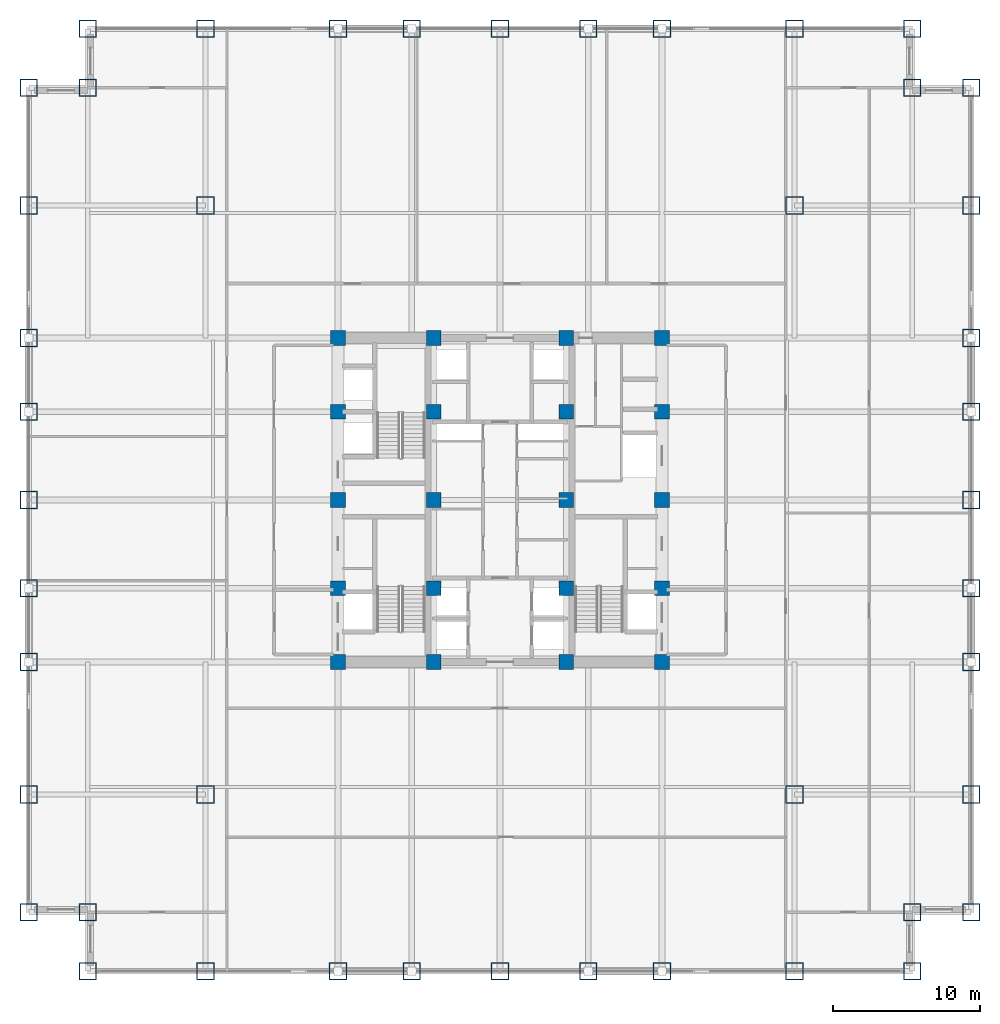
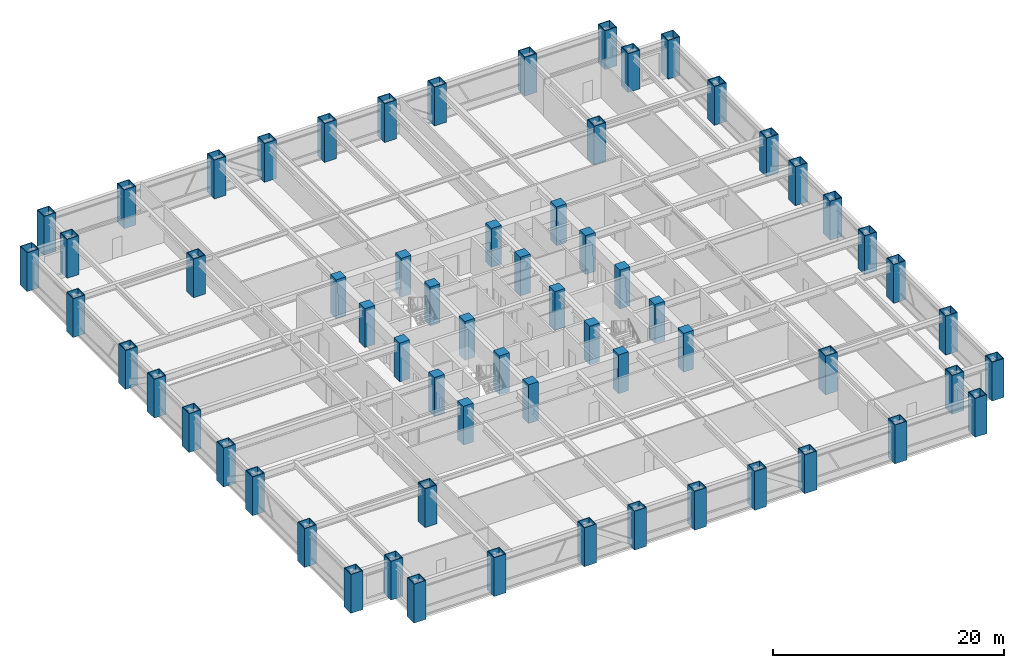
# One storey, part 1 of 28: 64 columns.
"""IFC4 building model written with IfcOpenShell, lengths in metres."""

from ifc_helpers import new_model, si_unit, direction, frame, origin, origin_2d, place, context, subcontext, project, spatial, rectangle, hollow_rectangle, extrude, source, transform, mapped, material, material_profile, profile_set, type_object, element, save


model = new_model("IFC4")

# Units and contexts
model_context = context("Model", 3, precision=1e-05, world=origin(), true_north=direction((0.0, 1.0)))
body_context = subcontext(model_context, "Body", "Model", "MODEL_VIEW")
ifc_project = project(units=[si_unit("LENGTHUNIT", "METRE"), si_unit("AREAUNIT", "SQUARE_METRE"), si_unit("VOLUMEUNIT", "CUBIC_METRE"), si_unit("PLANEANGLEUNIT", "RADIAN"), si_unit("MASSUNIT", "GRAM", prefix="KILO")], contexts=[model_context])

# Site, building, storey
site_placement = place(None, origin())
site = spatial("IfcSite", under=ifc_project, at=site_placement, CompositionType="ELEMENT")
building_placement = place(site_placement, origin())
building = spatial("IfcBuilding", under=site, at=building_placement, Name="Khorayat Bourse Tower", CompositionType="ELEMENT")
storey_placement = place(building_placement, frame((0.0, 0.0, 120.10009765625)))
storey = spatial("IfcBuildingStorey", under=building, at=storey_placement, Name="L27", CompositionType="ELEMENT", Elevation=120.10009765625)

# Columns
ifc_material_1 = material(Name="Steel EN 10025-4 S460M", Category="steel")
ifc_material_profile_1 = material_profile(ifc_material_1, hollow_rectangle(XDim=1.199951171875, YDim=1.199951171875, WallThickness=0.070068359375, at=origin_2d()), Name="BOX 1200x1200x70")
ifc_profile_set_1 = profile_set([ifc_material_profile_1], Name="Steel EN 10025-4 S460M")
column_type_1 = type_object("IfcColumnType", Name="COL-TUBE-1200", PredefinedType="COLUMN", material=ifc_profile_set_1)
shared_shape_1 = source(origin(), body_context, "Body", "SweptSolid", [
    extrude(hollow_rectangle(XDim=1.199951171875, YDim=1.199951171875, WallThickness=0.070068359375, at=origin_2d()), origin(), (0.0, 0.0, 1.0), 4.099853515625),
])
for number, where, z_axis, x_axis, name in (
    (1, (-32.0, -28.0, 0.0), (0.0, 0.0, 1.0), (1.0, 0.0, 0.0), "L27 Column 001"),
    (2, (-32.0, -20.0, 0.0), (0.0, 0.0, 1.0), (1.0, 0.0, 0.0), "L27 Column 002"),
    (3, (-32.0, -11.0, 0.0), (0.0, 0.0, 1.0), (1.0, 0.0, 0.0), "L27 Column 003"),
    (4, (-32.0, -6.0, 0.0), (0.0, 0.0, 1.0), (1.0, 0.0, 0.0), "L27 Column 004"),
    (5, (-32.0, 0.0, 0.0), (0.0, 0.0, 1.0), (1.0, 0.0, 0.0), "L27 Column 005"),
    (6, (-32.0, 6.0, 0.0), (0.0, 0.0, 1.0), (1.0, 0.0, 0.0), "L27 Column 006"),
    (7, (-32.0, 11.0, 0.0), (0.0, 0.0, 1.0), (1.0, 0.0, 0.0), "L27 Column 007"),
    (8, (-32.0, 20.0, 0.0), (0.0, 0.0, 1.0), (1.0, 0.0, 0.0), "L27 Column 008"),
    (9, (-32.0, 28.0, 0.0), (0.0, 0.0, 1.0), (1.0, 0.0, 0.0), "L27 Column 009"),
    (10, (-28.0, -32.0, 0.0), (0.0, 0.0, 1.0), (1.0, 0.0, 0.0), "L27 Column 010"),
    (11, (-28.0, -28.0, 0.0), (0.0, 0.0, 1.0), (1.0, 0.0, 0.0), "L27 Column 011"),
    (12, (-28.0, 28.0, 0.0), (0.0, 0.0, 1.0), (1.0, 0.0, 0.0), "L27 Column 012"),
    (13, (-28.0, 32.0, 0.0), (0.0, 0.0, 1.0), (1.0, 0.0, 0.0), "L27 Column 013"),
    (14, (-20.0, -32.0, 0.0), (0.0, 0.0, 1.0), (1.0, 0.0, 0.0), "L27 Column 014"),
    (15, (-20.0, -20.0, 0.0), (0.0, 0.0, 1.0), (1.0, 0.0, 0.0), "L27 Column 015"),
    (16, (-20.0, 20.0, 0.0), (0.0, 0.0, 1.0), (1.0, 0.0, 0.0), "L27 Column 016"),
    (17, (-20.0, 32.0, 0.0), (0.0, 0.0, 1.0), (1.0, 0.0, 0.0), "L27 Column 017"),
    (18, (-11.0, -32.0, 0.0), (0.0, 0.0, 1.0), (1.0, 0.0, 0.0), "L27 Column 018"),
    (19, (-11.0, 32.0, 0.0), (0.0, 0.0, 1.0), (1.0, 0.0, 0.0), "L27 Column 024"),
    (20, (-6.0, -32.0, 0.0), (0.0, 0.0, 1.0), (1.0, 0.0, 0.0), "L27 Column 025"),
    (21, (-6.0, 32.0, 0.0), (0.0, 0.0, 1.0), (1.0, 0.0, 0.0), "L27 Column 026"),
    (22, (0.0, -32.0, 0.0), (0.0, 0.0, 1.0), (1.0, 0.0, 0.0), "L27 Column 032"),
    (23, (0.0, 32.0, 0.0), (0.0, 0.0, 1.0), (1.0, 0.0, 0.0), "L27 Column 033"),
    (24, (6.0, -32.0, 0.0), (0.0, 0.0, 1.0), (1.0, 0.0, 0.0), "L27 Column 039"),
    (25, (6.0, 32.0, 0.0), (0.0, 0.0, 1.0), (1.0, 0.0, 0.0), "L27 Column 040"),
    (26, (11.0, -32.0, 0.0), (0.0, 0.0, 1.0), (1.0, 0.0, 0.0), "L27 Column 041"),
    (27, (11.0, 32.0, 0.0), (0.0, 0.0, 1.0), (1.0, 0.0, 0.0), "L27 Column 047"),
    (28, (20.0, -32.0, 0.0), (0.0, 0.0, 1.0), (1.0, 0.0, 0.0), "L27 Column 048"),
    (29, (20.0, -20.0, 0.0), (0.0, 0.0, 1.0), (1.0, 0.0, 0.0), "L27 Column 049"),
    (30, (20.0, 20.0, 0.0), (0.0, 0.0, 1.0), (1.0, 0.0, 0.0), "L27 Column 050"),
    (31, (20.0, 32.0, 0.0), (0.0, 0.0, 1.0), (1.0, 0.0, 0.0), "L27 Column 051"),
    (32, (28.0, -32.0, 0.0), (0.0, 0.0, 1.0), (1.0, 0.0, 0.0), "L27 Column 052"),
    (33, (28.0, -28.0, 0.0), (0.0, 0.0, 1.0), (1.0, 0.0, 0.0), "L27 Column 053"),
    (34, (28.0, 28.0, 0.0), (0.0, 0.0, 1.0), (1.0, 0.0, 0.0), "L27 Column 054"),
    (35, (28.0, 32.0, 0.0), (0.0, 0.0, 1.0), (1.0, 0.0, 0.0), "L27 Column 055"),
    (36, (32.0, -28.0, 0.0), (0.0, 0.0, 1.0), (1.0, 0.0, 0.0), "L27 Column 056"),
    (37, (32.0, -20.0, 0.0), (0.0, 0.0, 1.0), (1.0, 0.0, 0.0), "L27 Column 057"),
    (38, (32.0, -11.0, 0.0), (0.0, 0.0, 1.0), (1.0, 0.0, 0.0), "L27 Column 058"),
    (39, (32.0, -6.0, 0.0), (0.0, 0.0, 1.0), (1.0, 0.0, 0.0), "L27 Column 059"),
    (40, (32.0, 0.0, 0.0), (0.0, 0.0, 1.0), (1.0, 0.0, 0.0), "L27 Column 060"),
    (41, (32.0, 6.0, 0.0), (0.0, 0.0, 1.0), (1.0, 0.0, 0.0), "L27 Column 061"),
    (42, (32.0, 11.0, 0.0), (0.0, 0.0, 1.0), (1.0, 0.0, 0.0), "L27 Column 062"),
    (43, (32.0, 20.0, 0.0), (0.0, 0.0, 1.0), (1.0, 0.0, 0.0), "L27 Column 063"),
    (44, (32.0, 28.0, 0.0), (0.0, 0.0, 1.0), (1.0, 0.0, 0.0), "L27 Column 064"),
):
    element("IfcColumn", number, at=place(storey_placement, frame(where, z_axis=z_axis, x_axis=x_axis)), inside=storey, type_object=column_type_1, Name=name, PredefinedType="COLUMN", context=body_context, shape_type="MappedRepresentation", body=[
        mapped(shared_shape_1, transform((0.0, 0.0, 0.0), scale=1.0)),
    ])
ifc_material_2 = material(Name="Concrete C72/90", Category="concrete")
ifc_material_profile_2 = material_profile(ifc_material_2, rectangle(XDim=1.0, YDim=1.0, at=origin_2d()), Name="RC 1000x1000")
ifc_profile_set_2 = profile_set([ifc_material_profile_2], Name="Concrete C72/90")
column_type_2 = type_object("IfcColumnType", Name="COL-CORE-1000", PredefinedType="COLUMN", material=ifc_profile_set_2)
shared_shape_2 = source(origin(), body_context, "Body", "SweptSolid", [
    extrude(rectangle(XDim=1.0, YDim=1.0, at=origin_2d()), origin(), (0.0, 0.0, 1.0), 4.099853515625),
])
for number, where, z_axis, x_axis, name in (
    (45, (-11.0, -11.0, 0.0), (0.0, 0.0, 1.0), (1.0, 0.0, 0.0), "L27 Column 019"),
    (46, (-11.0, -6.0, 0.0), (0.0, 0.0, 1.0), (1.0, 0.0, 0.0), "L27 Column 020"),
    (47, (-11.0, 0.0, 0.0), (0.0, 0.0, 1.0), (1.0, 0.0, 0.0), "L27 Column 021"),
    (48, (-11.0, 6.0, 0.0), (0.0, 0.0, 1.0), (1.0, 0.0, 0.0), "L27 Column 022"),
    (49, (-11.0, 11.0, 0.0), (0.0, 0.0, 1.0), (1.0, 0.0, 0.0), "L27 Column 023"),
    (50, (-4.5, -11.0, 0.0), (0.0, 0.0, 1.0), (1.0, 0.0, 0.0), "L27 Column 027"),
    (51, (-4.5, -6.0, 0.0), (0.0, 0.0, 1.0), (1.0, 0.0, 0.0), "L27 Column 028"),
    (52, (-4.5, 0.0, 0.0), (0.0, 0.0, 1.0), (1.0, 0.0, 0.0), "L27 Column 029"),
    (53, (-4.5, 6.0, 0.0), (0.0, 0.0, 1.0), (1.0, 0.0, 0.0), "L27 Column 030"),
    (54, (-4.5, 11.0, 0.0), (0.0, 0.0, 1.0), (1.0, 0.0, 0.0), "L27 Column 031"),
    (55, (4.5, -11.0, 0.0), (0.0, 0.0, 1.0), (1.0, 0.0, 0.0), "L27 Column 034"),
    (56, (4.5, -6.0, 0.0), (0.0, 0.0, 1.0), (1.0, 0.0, 0.0), "L27 Column 035"),
    (57, (4.5, 0.0, 0.0), (0.0, 0.0, 1.0), (1.0, 0.0, 0.0), "L27 Column 036"),
    (58, (4.5, 6.0, 0.0), (0.0, 0.0, 1.0), (1.0, 0.0, 0.0), "L27 Column 037"),
    (59, (4.5, 11.0, 0.0), (0.0, 0.0, 1.0), (1.0, 0.0, 0.0), "L27 Column 038"),
    (60, (11.0, -11.0, 0.0), (0.0, 0.0, 1.0), (1.0, 0.0, 0.0), "L27 Column 042"),
    (61, (11.0, -6.0, 0.0), (0.0, 0.0, 1.0), (1.0, 0.0, 0.0), "L27 Column 043"),
    (62, (11.0, 0.0, 0.0), (0.0, 0.0, 1.0), (1.0, 0.0, 0.0), "L27 Column 044"),
    (63, (11.0, 6.0, 0.0), (0.0, 0.0, 1.0), (1.0, 0.0, 0.0), "L27 Column 045"),
    (64, (11.0, 11.0, 0.0), (0.0, 0.0, 1.0), (1.0, 0.0, 0.0), "L27 Column 046"),
):
    element("IfcColumn", number, at=place(storey_placement, frame(where, z_axis=z_axis, x_axis=x_axis)), inside=storey, type_object=column_type_2, Name=name, PredefinedType="COLUMN", context=body_context, shape_type="MappedRepresentation", body=[
        mapped(shared_shape_2, transform((0.0, 0.0, 0.0), scale=1.0)),
    ])

save(model, "model.ifc")
